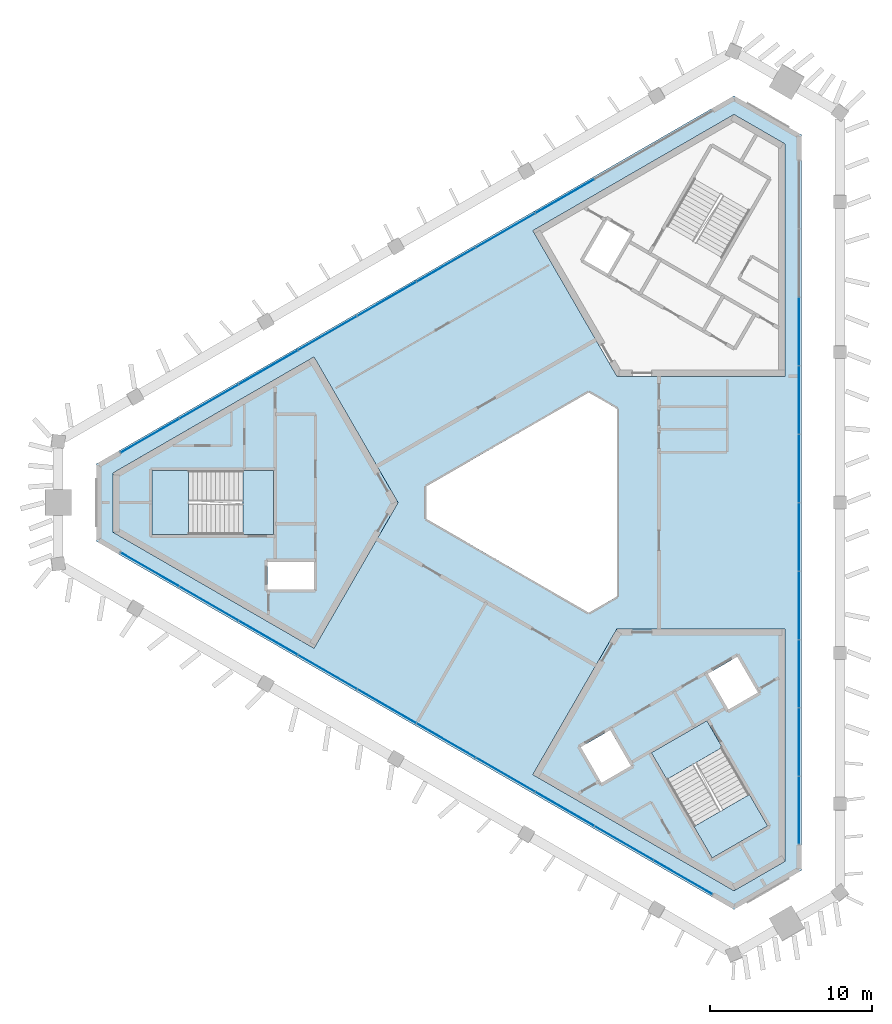
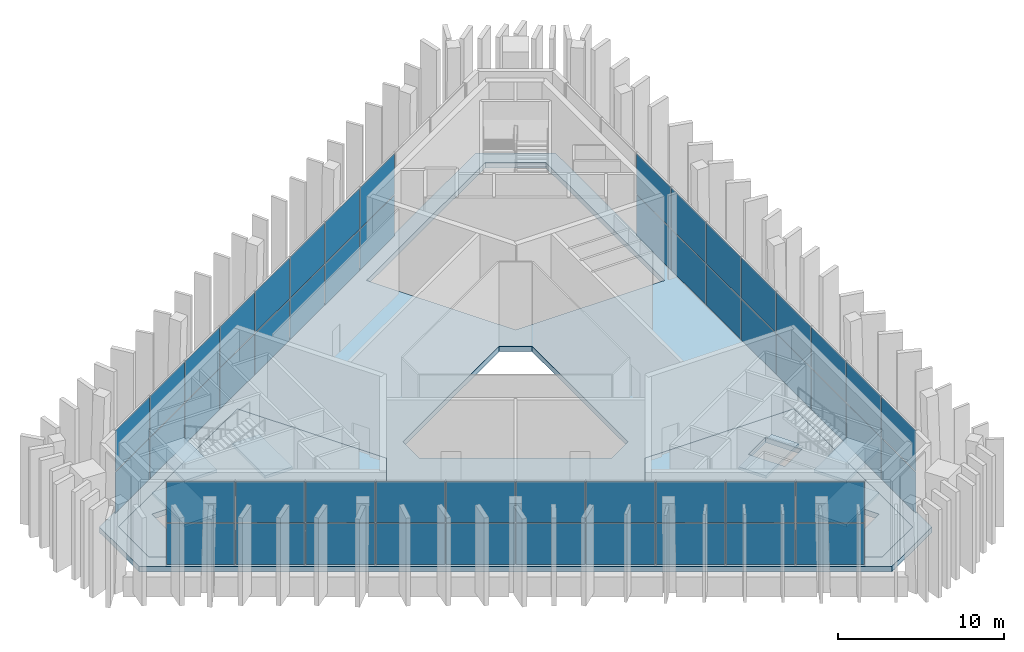
# One storey, part 7 of 13: 52 plates, 9 slabs, 5 elements without a shape of their own.
"""IFC4 building model written with IfcOpenShell, lengths in metres."""

from ifc_helpers import new_model, si_unit, direction, frame, origin, origin_2d, place, context, subcontext, project, spatial, polyline, rectangle, outline, extrude, material, layer, layer_set, type_object, element, aggregate, save


model = new_model("IFC4")

# Units and contexts
model_context = context("Model", 3, precision=1e-05, world=origin(), true_north=direction((0.0, 1.0)))
body_context = subcontext(model_context, "Body", "Model", "MODEL_VIEW")
ifc_project = project(units=[si_unit("LENGTHUNIT", "METRE"), si_unit("AREAUNIT", "SQUARE_METRE"), si_unit("VOLUMEUNIT", "CUBIC_METRE"), si_unit("PLANEANGLEUNIT", "RADIAN"), si_unit("MASSUNIT", "GRAM", prefix="KILO")], contexts=[model_context])

# Site, building, storey
site_placement = place(None, origin())
site = spatial("IfcSite", under=ifc_project, at=site_placement, CompositionType="ELEMENT")
building_placement = place(site_placement, origin())
building = spatial("IfcBuilding", under=site, at=building_placement, Name="Jabali Bay Hotel Tower and Convention Centre", CompositionType="ELEMENT")
storey_placement = place(building_placement, frame((0.0, 0.0, 315.800048828125)))
storey = spatial("IfcBuildingStorey", under=building, at=storey_placement, Name="L77", CompositionType="ELEMENT", Elevation=315.800048828125)

# Curtain wall, plates
ifc_material_1 = material(Name="Aluminium and glass", Category="aluminium")
ifc_layer_1 = layer(ifc_material_1, 0.159912109375)
ifc_layer_set_1 = layer_set([ifc_layer_1], Name="Aluminium and glass")
curtain_wall_type = type_object("IfcCurtainWallType", Name="CW3 curtain wall", PredefinedType="NOTDEFINED", material=ifc_layer_set_1)
curtain_wall_1_placement = place(storey_placement, origin())
curtain_wall_1 = element("IfcCurtainWall", 1, at=curtain_wall_1_placement, inside=storey, type_object=curtain_wall_type, Name="CW3 curtain wall east face L77", PredefinedType="NOTDEFINED")
ifc_material_2 = material(Name="Glass", Category="glass")
ifc_layer_2 = layer(ifc_material_2, 0.028076171875)
ifc_layer_set_2 = layer_set([ifc_layer_2], Name="Glass")
plate_type = type_object("IfcPlateType", Name="CW3 glass panel 28", PredefinedType="CURTAIN_PANEL", material=ifc_layer_set_2)
plate_1_placement = place(storey_placement, frame((90.72998046875, 90.55908203125, 0.06005859375), z_axis=(0.0, 0.0, 1.0), x_axis=(0.0, -1.0, 0.0)))
plate_1 = element("IfcPlate", 2, at=plate_1_placement, type_object=plate_type, Name="CW3 panel 3.1", PredefinedType="CURTAIN_PANEL", context=body_context, shape_type="SweptSolid", body=[
    extrude(rectangle(XDim=4.16357421875, YDim=0.028076171875, at=origin_2d()), origin(), (0.0, 0.0, 1.0), 3.010009765625),
])
plate_2_placement = place(storey_placement, frame((90.72998046875, 90.55908203125, 3.1298828125), z_axis=(0.0, 0.0, 1.0), x_axis=(0.0, -1.0, 0.0)))
plate_2 = element("IfcPlate", 3, at=plate_2_placement, type_object=plate_type, Name="CW3 panel 3.2", PredefinedType="CURTAIN_PANEL", context=body_context, shape_type="SweptSolid", body=[
    extrude(rectangle(XDim=4.16357421875, YDim=0.028076171875, at=origin_2d()), origin(), (0.0, 0.0, 1.0), 3.010009765625),
])
plate_3_placement = place(storey_placement, frame((90.72998046875, 86.33544921875, 0.06005859375), z_axis=(0.0, 0.0, 1.0), x_axis=(0.0, -1.0, 0.0)))
plate_3 = element("IfcPlate", 4, at=plate_3_placement, type_object=plate_type, Name="CW3 panel 4.1", PredefinedType="CURTAIN_PANEL", context=body_context, shape_type="SweptSolid", body=[
    extrude(rectangle(XDim=4.16357421875, YDim=0.028076171875, at=origin_2d()), origin(), (0.0, 0.0, 1.0), 3.010009765625),
])
plate_4_placement = place(storey_placement, frame((90.72998046875, 86.33544921875, 3.1298828125), z_axis=(0.0, 0.0, 1.0), x_axis=(0.0, -1.0, 0.0)))
plate_4 = element("IfcPlate", 5, at=plate_4_placement, type_object=plate_type, Name="CW3 panel 4.2", PredefinedType="CURTAIN_PANEL", context=body_context, shape_type="SweptSolid", body=[
    extrude(rectangle(XDim=4.16357421875, YDim=0.028076171875, at=origin_2d()), origin(), (0.0, 0.0, 1.0), 3.010009765625),
])
plate_5_placement = place(storey_placement, frame((90.72998046875, 82.11181640625, 0.06005859375), z_axis=(0.0, 0.0, 1.0), x_axis=(0.0, -1.0, 0.0)))
plate_5 = element("IfcPlate", 6, at=plate_5_placement, type_object=plate_type, Name="CW3 panel 5.1", PredefinedType="CURTAIN_PANEL", context=body_context, shape_type="SweptSolid", body=[
    extrude(rectangle(XDim=4.16357421875, YDim=0.028076171875, at=origin_2d()), origin(), (0.0, 0.0, 1.0), 3.010009765625),
])
plate_6_placement = place(storey_placement, frame((90.72998046875, 82.11181640625, 3.1298828125), z_axis=(0.0, 0.0, 1.0), x_axis=(0.0, -1.0, 0.0)))
plate_6 = element("IfcPlate", 7, at=plate_6_placement, type_object=plate_type, Name="CW3 panel 5.2", PredefinedType="CURTAIN_PANEL", context=body_context, shape_type="SweptSolid", body=[
    extrude(rectangle(XDim=4.16357421875, YDim=0.028076171875, at=origin_2d()), origin(), (0.0, 0.0, 1.0), 3.010009765625),
])
plate_7_placement = place(storey_placement, frame((90.72998046875, 77.88818359375, 0.06005859375), z_axis=(0.0, 0.0, 1.0), x_axis=(0.0, -1.0, 0.0)))
plate_7 = element("IfcPlate", 8, at=plate_7_placement, type_object=plate_type, Name="CW3 panel 6.1", PredefinedType="CURTAIN_PANEL", context=body_context, shape_type="SweptSolid", body=[
    extrude(rectangle(XDim=4.16357421875, YDim=0.028076171875, at=origin_2d()), origin(), (0.0, 0.0, 1.0), 3.010009765625),
])
plate_8_placement = place(storey_placement, frame((90.72998046875, 77.88818359375, 3.1298828125), z_axis=(0.0, 0.0, 1.0), x_axis=(0.0, -1.0, 0.0)))
plate_8 = element("IfcPlate", 9, at=plate_8_placement, type_object=plate_type, Name="CW3 panel 6.2", PredefinedType="CURTAIN_PANEL", context=body_context, shape_type="SweptSolid", body=[
    extrude(rectangle(XDim=4.16357421875, YDim=0.028076171875, at=origin_2d()), origin(), (0.0, 0.0, 1.0), 3.010009765625),
])
plate_9_placement = place(storey_placement, frame((90.72998046875, 73.66455078125, 0.06005859375), z_axis=(0.0, 0.0, 1.0), x_axis=(0.0, -1.0, 0.0)))
plate_9 = element("IfcPlate", 10, at=plate_9_placement, type_object=plate_type, Name="CW3 panel 7.1", PredefinedType="CURTAIN_PANEL", context=body_context, shape_type="SweptSolid", body=[
    extrude(rectangle(XDim=4.16357421875, YDim=0.028076171875, at=origin_2d()), origin(), (0.0, 0.0, 1.0), 3.010009765625),
])
plate_10_placement = place(storey_placement, frame((90.72998046875, 73.66455078125, 3.1298828125), z_axis=(0.0, 0.0, 1.0), x_axis=(0.0, -1.0, 0.0)))
plate_10 = element("IfcPlate", 11, at=plate_10_placement, type_object=plate_type, Name="CW3 panel 7.2", PredefinedType="CURTAIN_PANEL", context=body_context, shape_type="SweptSolid", body=[
    extrude(rectangle(XDim=4.16357421875, YDim=0.028076171875, at=origin_2d()), origin(), (0.0, 0.0, 1.0), 3.010009765625),
])
plate_11_placement = place(storey_placement, frame((90.72998046875, 69.44091796875, 0.06005859375), z_axis=(0.0, 0.0, 1.0), x_axis=(0.0, -1.0, 0.0)))
plate_11 = element("IfcPlate", 12, at=plate_11_placement, type_object=plate_type, Name="CW3 panel 8.1", PredefinedType="CURTAIN_PANEL", context=body_context, shape_type="SweptSolid", body=[
    extrude(rectangle(XDim=4.16357421875, YDim=0.028076171875, at=origin_2d()), origin(), (0.0, 0.0, 1.0), 3.010009765625),
])
plate_12_placement = place(storey_placement, frame((90.72998046875, 69.44091796875, 3.1298828125), z_axis=(0.0, 0.0, 1.0), x_axis=(0.0, -1.0, 0.0)))
plate_12 = element("IfcPlate", 13, at=plate_12_placement, type_object=plate_type, Name="CW3 panel 8.2", PredefinedType="CURTAIN_PANEL", context=body_context, shape_type="SweptSolid", body=[
    extrude(rectangle(XDim=4.16357421875, YDim=0.028076171875, at=origin_2d()), origin(), (0.0, 0.0, 1.0), 3.010009765625),
])
plate_13_placement = place(storey_placement, frame((90.72998046875, 65.217041015625, 0.06005859375), z_axis=(0.0, 0.0, 1.0), x_axis=(0.0, -1.0, 0.0)))
plate_13 = element("IfcPlate", 14, at=plate_13_placement, type_object=plate_type, Name="CW3 panel 9.1", PredefinedType="CURTAIN_PANEL", context=body_context, shape_type="SweptSolid", body=[
    extrude(rectangle(XDim=4.16357421875, YDim=0.028076171875, at=origin_2d()), origin(), (0.0, 0.0, 1.0), 3.010009765625),
])
plate_14_placement = place(storey_placement, frame((90.72998046875, 65.217041015625, 3.1298828125), z_axis=(0.0, 0.0, 1.0), x_axis=(0.0, -1.0, 0.0)))
plate_14 = element("IfcPlate", 15, at=plate_14_placement, type_object=plate_type, Name="CW3 panel 9.2", PredefinedType="CURTAIN_PANEL", context=body_context, shape_type="SweptSolid", body=[
    extrude(rectangle(XDim=4.16357421875, YDim=0.028076171875, at=origin_2d()), origin(), (0.0, 0.0, 1.0), 3.010009765625),
])
plate_15_placement = place(storey_placement, frame((90.72998046875, 61.008544921875, 0.06005859375), z_axis=(0.0, 0.0, 1.0), x_axis=(0.0, -1.0, 0.0)))
plate_15 = element("IfcPlate", 16, at=plate_15_placement, type_object=plate_type, Name="CW3 panel 10.1", PredefinedType="CURTAIN_PANEL", context=body_context, shape_type="SweptSolid", body=[
    extrude(rectangle(XDim=4.1337890625, YDim=0.028076171875, at=origin_2d()), origin(), (0.0, 0.0, 1.0), 3.010009765625),
])
plate_16_placement = place(storey_placement, frame((90.72998046875, 61.008544921875, 3.1298828125), z_axis=(0.0, 0.0, 1.0), x_axis=(0.0, -1.0, 0.0)))
plate_16 = element("IfcPlate", 17, at=plate_16_placement, type_object=plate_type, Name="CW3 panel 10.2", PredefinedType="CURTAIN_PANEL", context=body_context, shape_type="SweptSolid", body=[
    extrude(rectangle(XDim=4.1337890625, YDim=0.028076171875, at=origin_2d()), origin(), (0.0, 0.0, 1.0), 3.010009765625),
])
aggregate(curtain_wall_1, [plate_1, plate_2, plate_3, plate_4, plate_5, plate_6, plate_7, plate_8, plate_9, plate_10, plate_11, plate_12, plate_13, plate_14, plate_15, plate_16])

curtain_wall_2_placement = place(storey_placement, origin())
curtain_wall_2 = element("IfcCurtainWall", 18, at=curtain_wall_2_placement, inside=storey, type_object=curtain_wall_type, Name="CW3 curtain wall north-west face L77", PredefinedType="NOTDEFINED")
plate_17_placement = place(storey_placement, frame((50.687744140625, 84.126708984375, 0.06005859375), z_axis=(0.0, 0.0, 1.0), x_axis=(0.866025401428, 0.500000004081, 0.0)))
plate_17 = element("IfcPlate", 19, at=plate_17_placement, type_object=plate_type, Name="CW3 panel 1.1", PredefinedType="CURTAIN_PANEL", context=body_context, shape_type="SweptSolid", body=[
    extrude(rectangle(XDim=4.1337890625, YDim=0.028076171875, at=origin_2d()), origin(), (0.0, 0.0, 1.0), 3.010009765625),
])
plate_18_placement = place(storey_placement, frame((50.687744140625, 84.126708984375, 3.1298828125), z_axis=(0.0, 0.0, 1.0), x_axis=(0.866025401428, 0.500000004081, 0.0)))
plate_18 = element("IfcPlate", 20, at=plate_18_placement, type_object=plate_type, Name="CW3 panel 1.2", PredefinedType="CURTAIN_PANEL", context=body_context, shape_type="SweptSolid", body=[
    extrude(rectangle(XDim=4.1337890625, YDim=0.028076171875, at=origin_2d()), origin(), (0.0, 0.0, 1.0), 3.010009765625),
])
plate_19_placement = place(storey_placement, frame((54.332763671875, 86.231201171875, 0.06005859375), z_axis=(0.0, 0.0, 1.0), x_axis=(0.866025401428, 0.500000004081, 0.0)))
plate_19 = element("IfcPlate", 21, at=plate_19_placement, type_object=plate_type, Name="CW3 panel 2.1", PredefinedType="CURTAIN_PANEL", context=body_context, shape_type="SweptSolid", body=[
    extrude(rectangle(XDim=4.16357421875, YDim=0.028076171875, at=origin_2d()), origin(), (0.0, 0.0, 1.0), 3.010009765625),
])
plate_20_placement = place(storey_placement, frame((54.332763671875, 86.231201171875, 3.1298828125), z_axis=(0.0, 0.0, 1.0), x_axis=(0.866025401428, 0.500000004081, 0.0)))
plate_20 = element("IfcPlate", 22, at=plate_20_placement, type_object=plate_type, Name="CW3 panel 2.2", PredefinedType="CURTAIN_PANEL", context=body_context, shape_type="SweptSolid", body=[
    extrude(rectangle(XDim=4.16357421875, YDim=0.028076171875, at=origin_2d()), origin(), (0.0, 0.0, 1.0), 3.010009765625),
])
plate_21_placement = place(storey_placement, frame((57.990478515625, 88.343017578125, 0.06005859375), z_axis=(0.0, 0.0, 1.0), x_axis=(0.866025401428, 0.500000004081, 0.0)))
plate_21 = element("IfcPlate", 23, at=plate_21_placement, type_object=plate_type, Name="CW3 panel 3.1", PredefinedType="CURTAIN_PANEL", context=body_context, shape_type="SweptSolid", body=[
    extrude(rectangle(XDim=4.16357421875, YDim=0.028076171875, at=origin_2d()), origin(), (0.0, 0.0, 1.0), 3.010009765625),
])
plate_22_placement = place(storey_placement, frame((57.990478515625, 88.343017578125, 3.1298828125), z_axis=(0.0, 0.0, 1.0), x_axis=(0.866025401428, 0.500000004081, 0.0)))
plate_22 = element("IfcPlate", 24, at=plate_22_placement, type_object=plate_type, Name="CW3 panel 3.2", PredefinedType="CURTAIN_PANEL", context=body_context, shape_type="SweptSolid", body=[
    extrude(rectangle(XDim=4.16357421875, YDim=0.028076171875, at=origin_2d()), origin(), (0.0, 0.0, 1.0), 3.010009765625),
])
plate_23_placement = place(storey_placement, frame((61.648193359375, 90.454833984375, 0.06005859375), z_axis=(0.0, 0.0, 1.0), x_axis=(0.866025401428, 0.500000004081, 0.0)))
plate_23 = element("IfcPlate", 25, at=plate_23_placement, type_object=plate_type, Name="CW3 panel 4.1", PredefinedType="CURTAIN_PANEL", context=body_context, shape_type="SweptSolid", body=[
    extrude(rectangle(XDim=4.16357421875, YDim=0.028076171875, at=origin_2d()), origin(), (0.0, 0.0, 1.0), 3.010009765625),
])
plate_24_placement = place(storey_placement, frame((61.648193359375, 90.454833984375, 3.1298828125), z_axis=(0.0, 0.0, 1.0), x_axis=(0.866025401428, 0.500000004081, 0.0)))
plate_24 = element("IfcPlate", 26, at=plate_24_placement, type_object=plate_type, Name="CW3 panel 4.2", PredefinedType="CURTAIN_PANEL", context=body_context, shape_type="SweptSolid", body=[
    extrude(rectangle(XDim=4.16357421875, YDim=0.028076171875, at=origin_2d()), origin(), (0.0, 0.0, 1.0), 3.010009765625),
])
plate_25_placement = place(storey_placement, frame((65.30615234375, 92.566650390625, 0.06005859375), z_axis=(0.0, 0.0, 1.0), x_axis=(0.866025401428, 0.500000004081, 0.0)))
plate_25 = element("IfcPlate", 27, at=plate_25_placement, type_object=plate_type, Name="CW3 panel 5.1", PredefinedType="CURTAIN_PANEL", context=body_context, shape_type="SweptSolid", body=[
    extrude(rectangle(XDim=4.16357421875, YDim=0.028076171875, at=origin_2d()), origin(), (0.0, 0.0, 1.0), 3.010009765625),
])
plate_26_placement = place(storey_placement, frame((65.30615234375, 92.566650390625, 3.1298828125), z_axis=(0.0, 0.0, 1.0), x_axis=(0.866025401428, 0.500000004081, 0.0)))
plate_26 = element("IfcPlate", 28, at=plate_26_placement, type_object=plate_type, Name="CW3 panel 5.2", PredefinedType="CURTAIN_PANEL", context=body_context, shape_type="SweptSolid", body=[
    extrude(rectangle(XDim=4.16357421875, YDim=0.028076171875, at=origin_2d()), origin(), (0.0, 0.0, 1.0), 3.010009765625),
])
plate_27_placement = place(storey_placement, frame((68.9638671875, 94.678466796875, 0.06005859375), z_axis=(0.0, 0.0, 1.0), x_axis=(0.866025401428, 0.500000004081, 0.0)))
plate_27 = element("IfcPlate", 29, at=plate_27_placement, type_object=plate_type, Name="CW3 panel 6.1", PredefinedType="CURTAIN_PANEL", context=body_context, shape_type="SweptSolid", body=[
    extrude(rectangle(XDim=4.16357421875, YDim=0.028076171875, at=origin_2d()), origin(), (0.0, 0.0, 1.0), 3.010009765625),
])
plate_28_placement = place(storey_placement, frame((68.9638671875, 94.678466796875, 3.1298828125), z_axis=(0.0, 0.0, 1.0), x_axis=(0.866025401428, 0.500000004081, 0.0)))
plate_28 = element("IfcPlate", 30, at=plate_28_placement, type_object=plate_type, Name="CW3 panel 6.2", PredefinedType="CURTAIN_PANEL", context=body_context, shape_type="SweptSolid", body=[
    extrude(rectangle(XDim=4.16357421875, YDim=0.028076171875, at=origin_2d()), origin(), (0.0, 0.0, 1.0), 3.010009765625),
])
plate_29_placement = place(storey_placement, frame((72.621826171875, 96.790283203125, 0.06005859375), z_axis=(0.0, 0.0, 1.0), x_axis=(0.866025401428, 0.500000004081, 0.0)))
plate_29 = element("IfcPlate", 31, at=plate_29_placement, type_object=plate_type, Name="CW3 panel 7.1", PredefinedType="CURTAIN_PANEL", context=body_context, shape_type="SweptSolid", body=[
    extrude(rectangle(XDim=4.16357421875, YDim=0.028076171875, at=origin_2d()), origin(), (0.0, 0.0, 1.0), 3.010009765625),
])
plate_30_placement = place(storey_placement, frame((72.621826171875, 96.790283203125, 3.1298828125), z_axis=(0.0, 0.0, 1.0), x_axis=(0.866025401428, 0.500000004081, 0.0)))
plate_30 = element("IfcPlate", 32, at=plate_30_placement, type_object=plate_type, Name="CW3 panel 7.2", PredefinedType="CURTAIN_PANEL", context=body_context, shape_type="SweptSolid", body=[
    extrude(rectangle(XDim=4.16357421875, YDim=0.028076171875, at=origin_2d()), origin(), (0.0, 0.0, 1.0), 3.010009765625),
])
plate_31_placement = place(storey_placement, frame((76.279541015625, 98.902099609375, 0.06005859375), z_axis=(0.0, 0.0, 1.0), x_axis=(0.866025401428, 0.500000004081, 0.0)))
plate_31 = element("IfcPlate", 33, at=plate_31_placement, type_object=plate_type, Name="CW3 panel 8.1", PredefinedType="CURTAIN_PANEL", context=body_context, shape_type="SweptSolid", body=[
    extrude(rectangle(XDim=4.16357421875, YDim=0.028076171875, at=origin_2d()), origin(), (0.0, 0.0, 1.0), 3.010009765625),
])
plate_32_placement = place(storey_placement, frame((76.279541015625, 98.902099609375, 3.1298828125), z_axis=(0.0, 0.0, 1.0), x_axis=(0.866025401428, 0.500000004081, 0.0)))
plate_32 = element("IfcPlate", 34, at=plate_32_placement, type_object=plate_type, Name="CW3 panel 8.2", PredefinedType="CURTAIN_PANEL", context=body_context, shape_type="SweptSolid", body=[
    extrude(rectangle(XDim=4.16357421875, YDim=0.028076171875, at=origin_2d()), origin(), (0.0, 0.0, 1.0), 3.010009765625),
])
aggregate(curtain_wall_2, [plate_17, plate_18, plate_19, plate_20, plate_21, plate_22, plate_23, plate_24, plate_25, plate_26, plate_27, plate_28, plate_29, plate_30, plate_31, plate_32])

curtain_wall_3_placement = place(storey_placement, origin())
curtain_wall_3 = element("IfcCurtainWall", 35, at=curtain_wall_3_placement, inside=storey, type_object=curtain_wall_type, Name="CW3 curtain wall south-west face L77", PredefinedType="NOTDEFINED")
plate_33_placement = place(storey_placement, frame((83.58203125, 56.881591796875, 0.06005859375), z_axis=(0.0, 0.0, 1.0), x_axis=(-0.866025401428, 0.500000004081, 0.0)))
plate_33 = element("IfcPlate", 36, at=plate_33_placement, type_object=plate_type, Name="CW3 panel 1.1", PredefinedType="CURTAIN_PANEL", context=body_context, shape_type="SweptSolid", body=[
    extrude(rectangle(XDim=4.1337890625, YDim=0.028076171875, at=origin_2d()), origin(), (0.0, 0.0, 1.0), 3.010009765625),
])
plate_34_placement = place(storey_placement, frame((83.58203125, 56.881591796875, 3.1298828125), z_axis=(0.0, 0.0, 1.0), x_axis=(-0.866025401428, 0.500000004081, 0.0)))
plate_34 = element("IfcPlate", 37, at=plate_34_placement, type_object=plate_type, Name="CW3 panel 1.2", PredefinedType="CURTAIN_PANEL", context=body_context, shape_type="SweptSolid", body=[
    extrude(rectangle(XDim=4.1337890625, YDim=0.028076171875, at=origin_2d()), origin(), (0.0, 0.0, 1.0), 3.010009765625),
])
plate_35_placement = place(storey_placement, frame((79.937255859375, 58.986083984375, 0.06005859375), z_axis=(0.0, 0.0, 1.0), x_axis=(-0.866025401428, 0.500000004081, 0.0)))
plate_35 = element("IfcPlate", 38, at=plate_35_placement, type_object=plate_type, Name="CW3 panel 2.1", PredefinedType="CURTAIN_PANEL", context=body_context, shape_type="SweptSolid", body=[
    extrude(rectangle(XDim=4.16357421875, YDim=0.028076171875, at=origin_2d()), origin(), (0.0, 0.0, 1.0), 3.010009765625),
])
plate_36_placement = place(storey_placement, frame((79.937255859375, 58.986083984375, 3.1298828125), z_axis=(0.0, 0.0, 1.0), x_axis=(-0.866025401428, 0.500000004081, 0.0)))
plate_36 = element("IfcPlate", 39, at=plate_36_placement, type_object=plate_type, Name="CW3 panel 2.2", PredefinedType="CURTAIN_PANEL", context=body_context, shape_type="SweptSolid", body=[
    extrude(rectangle(XDim=4.16357421875, YDim=0.028076171875, at=origin_2d()), origin(), (0.0, 0.0, 1.0), 3.010009765625),
])
plate_37_placement = place(storey_placement, frame((76.279541015625, 61.097900390625, 0.06005859375), z_axis=(0.0, 0.0, 1.0), x_axis=(-0.866025401428, 0.500000004081, 0.0)))
plate_37 = element("IfcPlate", 40, at=plate_37_placement, type_object=plate_type, Name="CW3 panel 3.1", PredefinedType="CURTAIN_PANEL", context=body_context, shape_type="SweptSolid", body=[
    extrude(rectangle(XDim=4.16357421875, YDim=0.028076171875, at=origin_2d()), origin(), (0.0, 0.0, 1.0), 3.010009765625),
])
plate_38_placement = place(storey_placement, frame((76.279541015625, 61.097900390625, 3.1298828125), z_axis=(0.0, 0.0, 1.0), x_axis=(-0.866025401428, 0.500000004081, 0.0)))
plate_38 = element("IfcPlate", 41, at=plate_38_placement, type_object=plate_type, Name="CW3 panel 3.2", PredefinedType="CURTAIN_PANEL", context=body_context, shape_type="SweptSolid", body=[
    extrude(rectangle(XDim=4.16357421875, YDim=0.028076171875, at=origin_2d()), origin(), (0.0, 0.0, 1.0), 3.010009765625),
])
plate_39_placement = place(storey_placement, frame((72.621826171875, 63.209716796875, 0.06005859375), z_axis=(0.0, 0.0, 1.0), x_axis=(-0.866025401428, 0.500000004081, 0.0)))
plate_39 = element("IfcPlate", 42, at=plate_39_placement, type_object=plate_type, Name="CW3 panel 4.1", PredefinedType="CURTAIN_PANEL", context=body_context, shape_type="SweptSolid", body=[
    extrude(rectangle(XDim=4.16357421875, YDim=0.028076171875, at=origin_2d()), origin(), (0.0, 0.0, 1.0), 3.010009765625),
])
plate_40_placement = place(storey_placement, frame((72.621826171875, 63.209716796875, 3.1298828125), z_axis=(0.0, 0.0, 1.0), x_axis=(-0.866025401428, 0.500000004081, 0.0)))
plate_40 = element("IfcPlate", 43, at=plate_40_placement, type_object=plate_type, Name="CW3 panel 4.2", PredefinedType="CURTAIN_PANEL", context=body_context, shape_type="SweptSolid", body=[
    extrude(rectangle(XDim=4.16357421875, YDim=0.028076171875, at=origin_2d()), origin(), (0.0, 0.0, 1.0), 3.010009765625),
])
plate_41_placement = place(storey_placement, frame((68.9638671875, 65.321533203125, 0.06005859375), z_axis=(0.0, 0.0, 1.0), x_axis=(-0.866025401428, 0.500000004081, 0.0)))
plate_41 = element("IfcPlate", 44, at=plate_41_placement, type_object=plate_type, Name="CW3 panel 5.1", PredefinedType="CURTAIN_PANEL", context=body_context, shape_type="SweptSolid", body=[
    extrude(rectangle(XDim=4.16357421875, YDim=0.028076171875, at=origin_2d()), origin(), (0.0, 0.0, 1.0), 3.010009765625),
])
plate_42_placement = place(storey_placement, frame((68.9638671875, 65.321533203125, 3.1298828125), z_axis=(0.0, 0.0, 1.0), x_axis=(-0.866025401428, 0.500000004081, 0.0)))
plate_42 = element("IfcPlate", 45, at=plate_42_placement, type_object=plate_type, Name="CW3 panel 5.2", PredefinedType="CURTAIN_PANEL", context=body_context, shape_type="SweptSolid", body=[
    extrude(rectangle(XDim=4.16357421875, YDim=0.028076171875, at=origin_2d()), origin(), (0.0, 0.0, 1.0), 3.010009765625),
])
plate_43_placement = place(storey_placement, frame((65.30615234375, 67.433349609375, 0.06005859375), z_axis=(0.0, 0.0, 1.0), x_axis=(-0.866025401428, 0.500000004081, 0.0)))
plate_43 = element("IfcPlate", 46, at=plate_43_placement, type_object=plate_type, Name="CW3 panel 6.1", PredefinedType="CURTAIN_PANEL", context=body_context, shape_type="SweptSolid", body=[
    extrude(rectangle(XDim=4.16357421875, YDim=0.028076171875, at=origin_2d()), origin(), (0.0, 0.0, 1.0), 3.010009765625),
])
plate_44_placement = place(storey_placement, frame((65.30615234375, 67.433349609375, 3.1298828125), z_axis=(0.0, 0.0, 1.0), x_axis=(-0.866025401428, 0.500000004081, 0.0)))
plate_44 = element("IfcPlate", 47, at=plate_44_placement, type_object=plate_type, Name="CW3 panel 6.2", PredefinedType="CURTAIN_PANEL", context=body_context, shape_type="SweptSolid", body=[
    extrude(rectangle(XDim=4.16357421875, YDim=0.028076171875, at=origin_2d()), origin(), (0.0, 0.0, 1.0), 3.010009765625),
])
plate_45_placement = place(storey_placement, frame((61.648193359375, 69.545166015625, 0.06005859375), z_axis=(0.0, 0.0, 1.0), x_axis=(-0.866025401428, 0.500000004081, 0.0)))
plate_45 = element("IfcPlate", 48, at=plate_45_placement, type_object=plate_type, Name="CW3 panel 7.1", PredefinedType="CURTAIN_PANEL", context=body_context, shape_type="SweptSolid", body=[
    extrude(rectangle(XDim=4.16357421875, YDim=0.028076171875, at=origin_2d()), origin(), (0.0, 0.0, 1.0), 3.010009765625),
])
plate_46_placement = place(storey_placement, frame((61.648193359375, 69.545166015625, 3.1298828125), z_axis=(0.0, 0.0, 1.0), x_axis=(-0.866025401428, 0.500000004081, 0.0)))
plate_46 = element("IfcPlate", 49, at=plate_46_placement, type_object=plate_type, Name="CW3 panel 7.2", PredefinedType="CURTAIN_PANEL", context=body_context, shape_type="SweptSolid", body=[
    extrude(rectangle(XDim=4.16357421875, YDim=0.028076171875, at=origin_2d()), origin(), (0.0, 0.0, 1.0), 3.010009765625),
])
plate_47_placement = place(storey_placement, frame((57.990478515625, 71.656982421875, 0.06005859375), z_axis=(0.0, 0.0, 1.0), x_axis=(-0.866025401428, 0.500000004081, 0.0)))
plate_47 = element("IfcPlate", 50, at=plate_47_placement, type_object=plate_type, Name="CW3 panel 8.1", PredefinedType="CURTAIN_PANEL", context=body_context, shape_type="SweptSolid", body=[
    extrude(rectangle(XDim=4.16357421875, YDim=0.028076171875, at=origin_2d()), origin(), (0.0, 0.0, 1.0), 3.010009765625),
])
plate_48_placement = place(storey_placement, frame((57.990478515625, 71.656982421875, 3.1298828125), z_axis=(0.0, 0.0, 1.0), x_axis=(-0.866025401428, 0.500000004081, 0.0)))
plate_48 = element("IfcPlate", 51, at=plate_48_placement, type_object=plate_type, Name="CW3 panel 8.2", PredefinedType="CURTAIN_PANEL", context=body_context, shape_type="SweptSolid", body=[
    extrude(rectangle(XDim=4.16357421875, YDim=0.028076171875, at=origin_2d()), origin(), (0.0, 0.0, 1.0), 3.010009765625),
])
plate_49_placement = place(storey_placement, frame((54.332763671875, 73.768798828125, 0.06005859375), z_axis=(0.0, 0.0, 1.0), x_axis=(-0.866025401428, 0.500000004081, 0.0)))
plate_49 = element("IfcPlate", 52, at=plate_49_placement, type_object=plate_type, Name="CW3 panel 9.1", PredefinedType="CURTAIN_PANEL", context=body_context, shape_type="SweptSolid", body=[
    extrude(rectangle(XDim=4.16357421875, YDim=0.028076171875, at=origin_2d()), origin(), (0.0, 0.0, 1.0), 3.010009765625),
])
plate_50_placement = place(storey_placement, frame((54.332763671875, 73.768798828125, 3.1298828125), z_axis=(0.0, 0.0, 1.0), x_axis=(-0.866025401428, 0.500000004081, 0.0)))
plate_50 = element("IfcPlate", 53, at=plate_50_placement, type_object=plate_type, Name="CW3 panel 9.2", PredefinedType="CURTAIN_PANEL", context=body_context, shape_type="SweptSolid", body=[
    extrude(rectangle(XDim=4.16357421875, YDim=0.028076171875, at=origin_2d()), origin(), (0.0, 0.0, 1.0), 3.010009765625),
])
plate_51_placement = place(storey_placement, frame((50.687744140625, 75.873291015625, 0.06005859375), z_axis=(0.0, 0.0, 1.0), x_axis=(-0.866025401428, 0.500000004081, 0.0)))
plate_51 = element("IfcPlate", 54, at=plate_51_placement, type_object=plate_type, Name="CW3 panel 10.1", PredefinedType="CURTAIN_PANEL", context=body_context, shape_type="SweptSolid", body=[
    extrude(rectangle(XDim=4.1337890625, YDim=0.028076171875, at=origin_2d()), origin(), (0.0, 0.0, 1.0), 3.010009765625),
])
plate_52_placement = place(storey_placement, frame((50.687744140625, 75.873291015625, 3.1298828125), z_axis=(0.0, 0.0, 1.0), x_axis=(-0.866025401428, 0.500000004081, 0.0)))
plate_52 = element("IfcPlate", 55, at=plate_52_placement, type_object=plate_type, Name="CW3 panel 10.2", PredefinedType="CURTAIN_PANEL", context=body_context, shape_type="SweptSolid", body=[
    extrude(rectangle(XDim=4.1337890625, YDim=0.028076171875, at=origin_2d()), origin(), (0.0, 0.0, 1.0), 3.010009765625),
])
aggregate(curtain_wall_3, [plate_33, plate_34, plate_35, plate_36, plate_37, plate_38, plate_39, plate_40, plate_41, plate_42, plate_43, plate_44, plate_45, plate_46, plate_47, plate_48, plate_49, plate_50, plate_51, plate_52])

# Slabs
ifc_material_3 = material(Name="Concrete C40", Category="concrete")
ifc_layer_3 = layer(ifc_material_3, 0.39990234375)
ifc_layer_set_3 = layer_set([ifc_layer_3], Name="Concrete C40")
slab_type_1 = type_object("IfcSlabType", Name="Core floor slab 400", PredefinedType="FLOOR", material=ifc_layer_set_3)
slab_1_placement = place(storey_placement, frame((0.0, 0.0, -0.400146484375)))
element("IfcSlab", 56, at=slab_1_placement, inside=storey, type_object=slab_type_1, Name="Core floor slab 1 L77", PredefinedType="FLOOR", context=body_context, shape_type="SweptSolid", body=[
    extrude(outline(polyline([(66.0, 80.0), (60.81005859375, 88.9892578125), (48.39697265625, 81.82275390625), (48.39697265625, 78.17724609375), (60.81005859375, 71.0107421875), (66.0, 80.0)]), holes=[polyline([(60.800048828125, 76.35009765625), (57.949951171875, 76.35009765625), (57.949951171875, 74.64990234375), (60.800048828125, 74.64990234375), (60.800048828125, 76.35009765625)]), polyline([(50.820068359375, 81.97509765625), (50.820068359375, 78.02490234375), (56.409912109375, 78.02490234375), (56.409912109375, 81.97509765625), (50.820068359375, 81.97509765625)])]), origin(), (0.0, 0.0, 1.0), 0.400146484375),
])
slab_2_placement = place(storey_placement, frame((0.0, 0.0, -0.400146484375)))
element("IfcSlab", 57, at=slab_2_placement, inside=storey, type_object=slab_type_1, Name="Core floor slab 3 L77", PredefinedType="FLOOR", context=body_context, shape_type="SweptSolid", body=[
    extrude(outline(polyline([(79.5, 72.205810546875), (74.31005859375, 63.21630859375), (86.72314453125, 56.0498046875), (89.8798828125, 57.872314453125), (89.8798828125, 72.205810546875), (79.5, 72.205810546875)]), holes=[polyline([(85.379638671875, 58.072021484375), (88.80029296875, 60.047119140625), (86.00537109375, 64.88818359375), (82.584716796875, 62.9130859375), (85.379638671875, 58.072021484375)]), polyline([(79.090576171875, 65.96484375), (77.27197265625, 64.9150390625), (78.546875, 62.70654296875), (80.365478515625, 63.756591796875), (79.090576171875, 65.96484375)]), polyline([(86.927978515625, 70.489990234375), (85.109375, 69.43994140625), (86.384521484375, 67.231689453125), (88.203125, 68.281494140625), (86.927978515625, 70.489990234375)])]), origin(), (0.0, 0.0, 1.0), 0.400146484375),
])
ifc_layer_4 = layer(ifc_material_3, 0.39990234375)
ifc_layer_set_4 = layer_set([ifc_layer_4], Name="Concrete C40")
slab_type_2 = type_object("IfcSlabType", Name="Post-tensioned flat slab 400", PredefinedType="FLOOR", material=ifc_layer_set_4)
slab_3_placement = place(storey_placement, frame((0.0, 0.0, -0.400146484375)))
element("IfcSlab", 58, at=slab_3_placement, inside=storey, type_object=slab_type_2, Name="Floor slab L77", PredefinedType="FLOOR", context=body_context, shape_type="SweptSolid", body=[
    extrude(outline(polyline([(86.72314453125, 105.10498046875), (90.8798828125, 102.705078125), (90.8798828125, 57.294921875), (86.72314453125, 54.89501953125), (47.39697265625, 77.60009765625), (47.39697265625, 82.39990234375), (86.72314453125, 105.10498046875)]), holes=[polyline([(67.73193359375, 79.0), (77.76806640625, 73.205810546875), (79.5, 74.205810546875), (79.5, 85.794189453125), (77.76806640625, 86.794189453125), (67.73193359375, 81.0), (67.73193359375, 79.0)]), polyline([(48.39697265625, 78.17724609375), (60.81005859375, 71.0107421875), (66.0, 80.0), (60.81005859375, 88.9892578125), (48.39697265625, 81.82275390625), (48.39697265625, 78.17724609375)]), polyline([(89.8798828125, 102.127685546875), (86.72314453125, 103.9501953125), (74.31005859375, 96.78369140625), (79.5, 87.794189453125), (89.8798828125, 87.794189453125), (89.8798828125, 102.127685546875)]), polyline([(74.31005859375, 63.21630859375), (86.72314453125, 56.0498046875), (89.8798828125, 57.872314453125), (89.8798828125, 72.205810546875), (79.5, 72.205810546875), (74.31005859375, 63.21630859375)])]), origin(), (0.0, 0.0, 1.0), 0.400146484375),
])

# Stair, slabs
stair_type = type_object("IfcStairType", Name="Exit stair 1900", PredefinedType="HALF_TURN_STAIR", material=ifc_material_3)
stair_1_placement = place(storey_placement, origin())
stair_1 = element("IfcStair", 59, at=stair_1_placement, inside=storey, type_object=stair_type, Name="L77 Exit Stair 1", PredefinedType="HALF_TURN_STAIR")
ifc_layer_5 = layer(ifc_material_3, 0.199951171875)
ifc_layer_set_5 = layer_set([ifc_layer_5], Name="Concrete C40")
slab_type_3 = type_object("IfcSlabType", Name="Stair landing 200", PredefinedType="LANDING", material=ifc_layer_set_5)
slab_4_placement = place(storey_placement, frame((0.0, 0.0, 1.425048828125)))
slab_4 = element("IfcSlab", 60, at=slab_4_placement, type_object=slab_type_3, Name="ST1 landing 1", PredefinedType="LANDING", context=body_context, shape_type="SweptSolid", body=[
    extrude(outline(polyline([(53.06298828125, 81.97509765625), (50.820068359375, 81.97509765625), (50.820068359375, 78.02490234375), (53.06298828125, 78.02490234375), (53.06298828125, 81.97509765625)])), origin(), (0.0, 0.0, 1.0), 0.199951171875),
])
slab_5_placement = place(storey_placement, frame((0.0, 0.0, 3.050048828125)))
slab_5 = element("IfcSlab", 61, at=slab_5_placement, type_object=slab_type_3, Name="ST1 landing 2", PredefinedType="LANDING", context=body_context, shape_type="SweptSolid", body=[
    extrude(outline(polyline([(58.320068359375, 81.97509765625), (56.4169921875, 81.97509765625), (56.4169921875, 78.02490234375), (58.320068359375, 78.02490234375), (58.320068359375, 81.97509765625)])), origin(), (0.0, 0.0, 1.0), 0.199951171875),
])
slab_6_placement = place(storey_placement, frame((0.0, 0.0, 4.675048828125)))
slab_6 = element("IfcSlab", 62, at=slab_6_placement, type_object=slab_type_3, Name="ST1 landing 3", PredefinedType="LANDING", context=body_context, shape_type="SweptSolid", body=[
    extrude(outline(polyline([(53.06298828125, 81.97509765625), (50.820068359375, 81.97509765625), (50.820068359375, 78.02490234375), (53.06298828125, 78.02490234375), (53.06298828125, 81.97509765625)])), origin(), (0.0, 0.0, 1.0), 0.199951171875),
])
aggregate(stair_1, [slab_4, slab_5, slab_6])

stair_2_placement = place(storey_placement, origin())
stair_2 = element("IfcStair", 63, at=stair_2_placement, inside=storey, type_object=stair_type, Name="L77 Exit Stair 3", PredefinedType="HALF_TURN_STAIR")
slab_7_placement = place(storey_placement, frame((0.0, 0.0, 1.425048828125)))
slab_7 = element("IfcSlab", 64, at=slab_7_placement, type_object=slab_type_3, Name="ST3 landing 1", PredefinedType="LANDING", context=body_context, shape_type="SweptSolid", body=[
    extrude(outline(polyline([(84.258056640625, 60.014404296875), (85.379638671875, 58.072021484375), (88.80029296875, 60.047119140625), (87.678955078125, 61.989501953125), (84.258056640625, 60.014404296875)])), origin(), (0.0, 0.0, 1.0), 0.199951171875),
])
slab_8_placement = place(storey_placement, frame((0.0, 0.0, 3.050048828125)))
slab_8 = element("IfcSlab", 65, at=slab_8_placement, type_object=slab_type_3, Name="ST3 landing 2", PredefinedType="LANDING", context=body_context, shape_type="SweptSolid", body=[
    extrude(outline(polyline([(81.629638671875, 64.567138671875), (82.5810546875, 62.919189453125), (86.001953125, 64.89404296875), (85.05029296875, 66.542236328125), (81.629638671875, 64.567138671875)])), origin(), (0.0, 0.0, 1.0), 0.199951171875),
])
slab_9_placement = place(storey_placement, frame((0.0, 0.0, 4.675048828125)))
slab_9 = element("IfcSlab", 66, at=slab_9_placement, type_object=slab_type_3, Name="ST3 landing 3", PredefinedType="LANDING", context=body_context, shape_type="SweptSolid", body=[
    extrude(outline(polyline([(84.258056640625, 60.014404296875), (85.379638671875, 58.072021484375), (88.80029296875, 60.047119140625), (87.678955078125, 61.989501953125), (84.258056640625, 60.014404296875)])), origin(), (0.0, 0.0, 1.0), 0.199951171875),
])
aggregate(stair_2, [slab_7, slab_8, slab_9])

save(model, "model.ifc")
